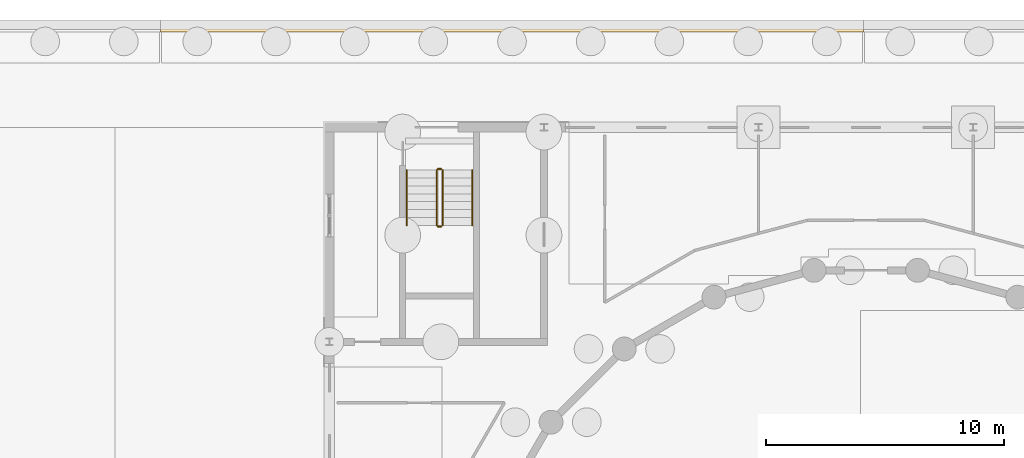
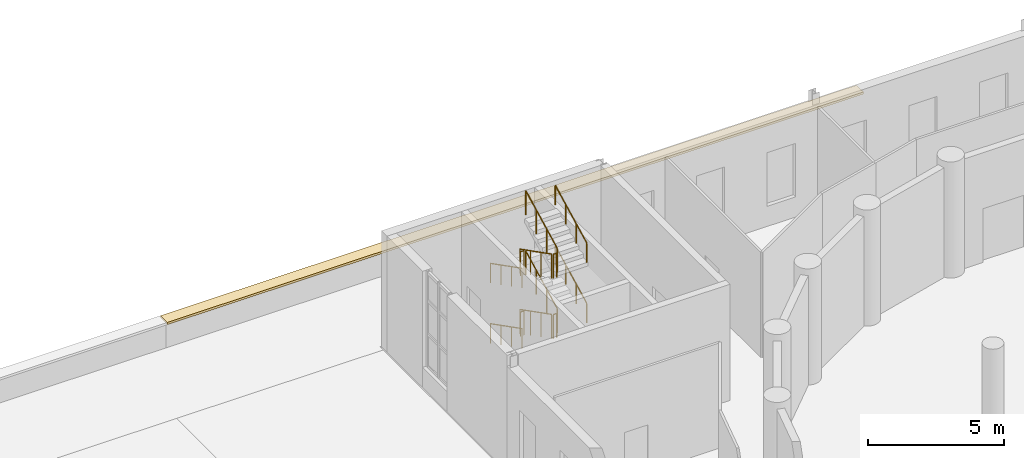
# One storey, part 160 of 168: 12 railings, 1 covering.
"""IFC4 building model written with IfcOpenShell, lengths in metres."""

import ifcopenshell
import ifcopenshell.guid

model = None  # the IFC model being written
_history = None  # IfcOwnerHistory: only IFC2X3 demands one
_inside = {}  # id of a spatial element -> (the spatial element, [elements in it])
_under = {}  # id of a project, library or spatial element -> (it, [spatial elements below it])
_declared = {}  # id of a project -> (the project, [libraries it declares])
_typed = {}  # id of a type object -> (the type object, [elements of that type])
_made_of = {}  # id of a material, layer set ... -> (it, [elements and type objects made of it])


def new_model(schema):
    """Start an empty IFC model of exactly this schema.

    Asked for "IFC4X3", IfcOpenShell would pick the latest addendum, in which some entities
    have other attributes; the version numbers below select the first issue.
    IFC2X3 requires an IfcOwnerHistory on every rooted entity: one is made here for all.
    """
    global model, _history
    if schema == "IFC4X3":
        model = ifcopenshell.file(schema_version=(4, 3, 0, 0))
    else:
        model = ifcopenshell.file(schema=schema)
    _inside.clear()
    _under.clear()
    _declared.clear()
    _typed.clear()
    _made_of.clear()
    _history = None
    if model.schema == "IFC2X3":
        org = make("IfcOrganization", Name="unknown")
        user = make(
            "IfcPersonAndOrganization",
            ThePerson=make("IfcPerson", FamilyName="unknown"),
            TheOrganization=org,
        )
        app = make(
            "IfcApplication",
            ApplicationDeveloper=org,
            Version="unknown",
            ApplicationFullName="unknown",
            ApplicationIdentifier="unknown",
        )
        _history = make(
            "IfcOwnerHistory",
            OwningUser=user,
            OwningApplication=app,
            ChangeAction="ADDED",
            CreationDate=0,
        )
    return model


def make(cls, **values):
    """One entity of the class cls with the attributes given. An attribute that is None is left unset."""
    return model.create_entity(
        cls, **{name: value for name, value in values.items() if value is not None}
    )


def rooted(cls, **values):
    """An entity with a GlobalId (a new one), such as an element, a storey or a relation."""
    return make(cls, GlobalId=ifcopenshell.guid.new(), OwnerHistory=_history, **values)


def si_unit(unit_type, name, prefix=None):
    """IfcSIUnit, for example si_unit("LENGTHUNIT", "METRE", prefix="MILLI")."""
    return make("IfcSIUnit", UnitType=unit_type, Prefix=prefix, Name=name)


def assignment(units):
    """IfcUnitAssignment: the units of a project."""
    return None if units is None else make("IfcUnitAssignment", Units=units)


def point(xyz):
    """IfcCartesianPoint."""
    return None if xyz is None else make("IfcCartesianPoint", Coordinates=xyz)


def direction(xyz):
    """IfcDirection."""
    return None if xyz is None else make("IfcDirection", DirectionRatios=xyz)


def frame(location, z_axis=None, x_axis=None):
    """IfcAxis2Placement3D, a coordinate frame: its origin and axes. An axis left out is left unset."""
    return make(
        "IfcAxis2Placement3D",
        Location=point(location),
        Axis=direction(z_axis),
        RefDirection=direction(x_axis),
    )


def frame_2d(location, x_axis=None):
    """IfcAxis2Placement2D, a coordinate frame in the plane: its origin and x axis."""
    return make(
        "IfcAxis2Placement2D", Location=point(location), RefDirection=direction(x_axis)
    )


def origin():
    """The frame at (0, 0, 0) with its axes left unset."""
    return frame((0.0, 0.0, 0.0))


def origin_2d():
    """The frame at (0, 0) in the plane with its x axis left unset."""
    return frame_2d((0.0, 0.0))


def place(relative_to, where):
    """IfcLocalPlacement: puts the frame where relative to a parent placement (None: the world)."""
    return make(
        "IfcLocalPlacement", PlacementRelTo=relative_to, RelativePlacement=where
    )


def context(
    kind, dimensions, precision=None, world=None, true_north=None, identifier=None
):
    """IfcGeometricRepresentationContext, for example the 3D "Model" context."""
    return make(
        "IfcGeometricRepresentationContext",
        ContextIdentifier=identifier,
        ContextType=kind,
        CoordinateSpaceDimension=dimensions,
        Precision=precision,
        WorldCoordinateSystem=world,
        TrueNorth=true_north,
    )


def subcontext(parent, identifier, kind, view, scale=None):
    """IfcGeometricRepresentationSubContext, for example "Body" below "Model"."""
    return make(
        "IfcGeometricRepresentationSubContext",
        ContextIdentifier=identifier,
        ContextType=kind,
        ParentContext=parent,
        TargetScale=scale,
        TargetView=view,
    )


def project(units=None, contexts=None):
    """IfcProject with its units and contexts."""
    return rooted(
        "IfcProject",
        Name="project",
        RepresentationContexts=contexts,
        UnitsInContext=assignment(units),
    )


def spatial(cls, under=None, at=None, **own):
    """A site, building, storey or space (cls), placed at a placement, below another one or the project."""
    s = rooted(cls, ObjectPlacement=at, **own)
    if under is not None:
        _under.setdefault(under.id(), (under, []))[1].append(s)
    return s


def polyline(points):
    """IfcPolyline through the points."""
    return make("IfcPolyline", Points=[point(p) for p in points])


def profile(cls, at=None, kind="AREA", **sizes):
    """A parametric profile (cls). Its sizes go by their IFC names, for example OverallWidth=200.0."""
    return make(cls, ProfileType=kind, Position=at, **sizes)


def circle(**sizes):
    """IfcCircleProfileDef."""
    return profile("IfcCircleProfileDef", **sizes)


def outline(outer, holes=None, kind="AREA"):
    """IfcArbitraryClosedProfileDef: a profile drawn as a closed curve; with holes, ...WithVoids."""
    if holes is None:
        return make("IfcArbitraryClosedProfileDef", ProfileType=kind, OuterCurve=outer)
    return make(
        "IfcArbitraryProfileDefWithVoids",
        ProfileType=kind,
        OuterCurve=outer,
        InnerCurves=holes,
    )


def extrude(swept, where, along, depth):
    """IfcExtrudedAreaSolid: the profile swept, set in the frame where, extruded along a direction by depth."""
    return make(
        "IfcExtrudedAreaSolid",
        SweptArea=swept,
        Position=where,
        ExtrudedDirection=direction(along),
        Depth=depth,
    )


def shape(context_of_items, identifier, shape_type, items):
    """IfcShapeRepresentation: the items that make up one representation, for example the "Body"."""
    return make(
        "IfcShapeRepresentation",
        ContextOfItems=context_of_items,
        RepresentationIdentifier=identifier,
        RepresentationType=shape_type,
        Items=items,
    )


def material(Name=None, Category=None):
    """IfcMaterial."""
    return make("IfcMaterial", Name=Name, Category=Category)


def layer(
    of_material, thickness, ventilated=None, Name=None, Category=None, Priority=None
):
    """IfcMaterialLayer: one layer of a wall or slab, of a material (None: an air gap)."""
    return make(
        "IfcMaterialLayer",
        Material=of_material,
        LayerThickness=thickness,
        IsVentilated=ventilated,
        Name=Name,
        Category=Category,
        Priority=Priority,
    )


def layer_set(layers, Name=None):
    """IfcMaterialLayerSet."""
    return make("IfcMaterialLayerSet", MaterialLayers=layers, LayerSetName=Name)


def made_of(thing, what):
    """Note that an element or type object is made of a material, layer set ...; save() writes the relation."""
    if what is not None:
        _made_of.setdefault(what.id(), (what, []))[1].append(thing)
    return thing


def type_object(cls, material=None, **own):
    """A type object (cls), such as IfcWallType, which elements share."""
    return made_of(rooted(cls, **own), material)


def element(
    cls,
    number,
    at=None,
    inside=None,
    cuts=None,
    type_object=None,
    material=None,
    context=None,
    identifier="Body",
    shape_type=None,
    held_by="IfcProductDefinitionShape",
    body=None,
    shapes=None,
    **own,
):
    """One element of the class cls, such as IfcWall. Its Tag is "e" and its number.

    at: its placement. inside: the storey or other place that contains it. cuts: it is an
    opening in that element (IfcRelVoidsElement). A single representation is given by context,
    identifier, shape_type and body (its items); several are given by shapes. held_by: the class
    of the entity that holds the representations. save() writes the other relations.
    """
    e = rooted(cls, Tag="e%d" % number, ObjectPlacement=at, **own)
    if body is not None:
        shapes = [shape(context, identifier, shape_type, body)]
    if shapes is not None:
        e.Representation = make(held_by, Representations=shapes)
    if inside is not None:
        _inside.setdefault(inside.id(), (inside, []))[1].append(e)
    if cuts is not None:
        rooted(
            "IfcRelVoidsElement", RelatingBuildingElement=cuts, RelatedOpeningElement=e
        )
    if type_object is not None:
        _typed.setdefault(type_object.id(), (type_object, []))[1].append(e)
    return made_of(e, material)


def aggregate(whole, parts):
    """IfcRelAggregates: a whole, such as a stair, and the parts it consists of."""
    return rooted("IfcRelAggregates", RelatingObject=whole, RelatedObjects=parts)


def save(model, path):
    """Write the relations noted so far, then the file.

    IfcRelAggregates (storeys below a building ...), IfcRelContainedInSpatialStructure (elements
    in a storey), IfcRelDefinesByType, IfcRelAssociatesMaterial and IfcRelDeclares: one each for
    every whole, place, type object, material and project.
    """
    for whole, parts in _under.values():
        aggregate(whole, parts)
    for where, things in _inside.values():
        rooted(
            "IfcRelContainedInSpatialStructure",
            RelatedElements=things,
            RelatingStructure=where,
        )
    for kind, things in _typed.values():
        rooted("IfcRelDefinesByType", RelatedObjects=things, RelatingType=kind)
    for what, things in _made_of.values():
        rooted("IfcRelAssociatesMaterial", RelatedObjects=things, RelatingMaterial=what)
    for by, libraries in _declared.values():
        rooted("IfcRelDeclares", RelatingContext=by, RelatedDefinitions=libraries)
    model.write(path)


model = new_model("IFC4")

# Units and contexts
model_context = context("Model", 3, precision=1e-05, world=origin(), true_north=direction((0.0, 1.0)))
body_context = subcontext(model_context, "Body", "Model", "MODEL_VIEW")
ifc_project = project(units=[si_unit("LENGTHUNIT", "METRE"), si_unit("AREAUNIT", "SQUARE_METRE"), si_unit("VOLUMEUNIT", "CUBIC_METRE"), si_unit("PLANEANGLEUNIT", "RADIAN"), si_unit("MASSUNIT", "GRAM", prefix="KILO")], contexts=[model_context])

# Site, building, storey
site_placement = place(None, origin())
site = spatial("IfcSite", under=ifc_project, at=site_placement, CompositionType="ELEMENT")
building_placement = place(site_placement, origin())
building = spatial("IfcBuilding", under=site, at=building_placement, Name="Golden Quay Civic Hall", CompositionType="ELEMENT")
storey_placement = place(building_placement, origin())
storey = spatial("IfcBuildingStorey", under=building, at=storey_placement, Name="L00", CompositionType="ELEMENT", Elevation=0.0)

# Covering
ifc_material_1 = material(Name="Granite", Category="masonry")
ifc_layer = layer(ifc_material_1, 0.10009765625)
ifc_layer_set = layer_set([ifc_layer], Name="Granite wall coping 500 x 100")
covering_type = type_object("IfcCoveringType", Name="Granite wall coping 500 x 100", PredefinedType="CLADDING", material=ifc_layer_set)
covering_placement = place(storey_placement, frame((0.0, 0.0, 1.10009765625)))
element("IfcCovering", 1, at=covering_placement, inside=storey, type_object=covering_type, Name="Boundary wall coping run N3", PredefinedType="CLADDING", context=body_context, shape_type="SweptSolid", body=[
    extrude(outline(polyline([(55.919921875, 112.0), (85.39990234375, 112.0), (85.39990234375, 112.5), (55.919921875, 112.5), (55.919921875, 112.0)])), origin(), (0.0, 0.0, 1.0), 0.099853515625),
])

# Railings
ifc_material_2 = material(Name="Steel S355", Category="steel")
railing_type_1 = type_object("IfcRailingType", Name="Steel guard 1100", PredefinedType="GUARDRAIL", material=ifc_material_2)
railing_1_placement = place(storey_placement, frame((67.5, 106.199951171875, 0.168701171875)))
element("IfcRailing", 2, at=railing_1_placement, inside=storey, type_object=railing_type_1, Name="L00 CB-NW stair guard 1", PredefinedType="GUARDRAIL", context=body_context, shape_type="SweptSolid", body=[
    extrude(circle(Radius=0.02392578125, at=origin_2d()), frame((0.0, 0.0, 1.076171875), z_axis=(0.0, -0.89032534587, 0.45532491531), x_axis=(1.0, 0.0, 0.0)), (0.0, 0.0, 1.0), 2.5947265625),
    extrude(circle(Radius=0.02099609375, at=origin_2d()), origin(), (0.0, 0.0, 1.0), 1.052001953125),
    extrude(circle(Radius=0.02099609375, at=origin_2d()), frame((0.0, -0.77001953125, 0.393798828125)), (0.0, 0.0, 1.0), 1.052001953125),
    extrude(circle(Radius=0.02099609375, at=origin_2d()), frame((0.0, -1.5400390625, 0.78759765625)), (0.0, 0.0, 1.0), 1.052001953125),
    extrude(circle(Radius=0.02099609375, at=origin_2d()), frame((0.0, -2.31005859375, 1.181396484375)), (0.0, 0.0, 1.0), 1.052001953125),
])
railing_2_placement = place(storey_placement, frame((67.550048828125, 103.840087890625, 1.35009765625)))
element("IfcRailing", 3, at=railing_2_placement, inside=storey, type_object=railing_type_1, Name="L00 CB-NW stair guard 2", PredefinedType="GUARDRAIL", context=body_context, shape_type="SweptSolid", body=[
    extrude(circle(Radius=0.02392578125, at=origin_2d()), frame((0.0, 0.0, 1.076171875), z_axis=(1.0, 0.0, 0.0), x_axis=(0.0, 1.0, 0.0)), (0.0, 0.0, 1.0), 0.14990234375),
    extrude(circle(Radius=0.02099609375, at=origin_2d()), origin(), (0.0, 0.0, 1.0), 1.052001953125),
    extrude(circle(Radius=0.02099609375, at=origin_2d()), frame((0.14990234375, 0.0, 0.0)), (0.0, 0.0, 1.0), 1.052001953125),
])
railing_3_placement = place(storey_placement, frame((67.75, 103.889892578125, 1.518798828125)))
element("IfcRailing", 4, at=railing_3_placement, inside=storey, type_object=railing_type_1, Name="L00 CB-NW stair guard 3", PredefinedType="GUARDRAIL", context=body_context, shape_type="SweptSolid", body=[
    extrude(circle(Radius=0.02392578125, at=origin_2d()), frame((0.0, 0.0, 1.076171875), z_axis=(0.0, 0.890363489232, 0.455250323495), x_axis=(-1.0, 0.0, 0.0)), (0.0, 0.0, 1.0), 2.594482421875),
    extrude(circle(Radius=0.02099609375, at=origin_2d()), origin(), (0.0, 0.0, 1.0), 1.052001953125),
    extrude(circle(Radius=0.02099609375, at=origin_2d()), frame((0.0, 0.77001953125, 0.393798828125)), (0.0, 0.0, 1.0), 1.052001953125),
    extrude(circle(Radius=0.02099609375, at=origin_2d()), frame((0.0, 1.5400390625, 0.787353515625)), (0.0, 0.0, 1.0), 1.052001953125),
    extrude(circle(Radius=0.02099609375, at=origin_2d()), frame((0.0, 2.31005859375, 1.18115234375)), (0.0, 0.0, 1.0), 1.052001953125),
])
railing_4_placement = place(storey_placement, frame((67.550048828125, 106.25, 2.699951171875)))
element("IfcRailing", 5, at=railing_4_placement, inside=storey, type_object=railing_type_1, Name="L00 CB-NW stair guard 4", PredefinedType="GUARDRAIL", context=body_context, shape_type="SweptSolid", body=[
    extrude(circle(Radius=0.02392578125, at=origin_2d()), frame((0.0, 0.0, 1.076171875), z_axis=(1.0, 0.0, 0.0), x_axis=(0.0, 1.0, 0.0)), (0.0, 0.0, 1.0), 0.14990234375),
    extrude(circle(Radius=0.02099609375, at=origin_2d()), origin(), (0.0, 0.0, 1.0), 1.052001953125),
    extrude(circle(Radius=0.02099609375, at=origin_2d()), frame((0.14990234375, 0.0, 0.0)), (0.0, 0.0, 1.0), 1.052001953125),
])
railing_5_placement = place(storey_placement, frame((67.5, 106.199951171875, 2.86865234375)))
element("IfcRailing", 6, at=railing_5_placement, inside=storey, type_object=railing_type_1, Name="L00 CB-NW stair guard 5", PredefinedType="GUARDRAIL", context=body_context, shape_type="SweptSolid", body=[
    extrude(circle(Radius=0.02392578125, at=origin_2d()), frame((0.0, 0.0, 1.076171875), z_axis=(0.0, -0.89032534587, 0.45532491531), x_axis=(1.0, 0.0, 0.0)), (0.0, 0.0, 1.0), 2.5947265625),
    extrude(circle(Radius=0.02099609375, at=origin_2d()), origin(), (0.0, 0.0, 1.0), 1.052001953125),
    extrude(circle(Radius=0.02099609375, at=origin_2d()), frame((0.0, -0.77001953125, 0.393798828125)), (0.0, 0.0, 1.0), 1.052001953125),
    extrude(circle(Radius=0.02099609375, at=origin_2d()), frame((0.0, -1.5400390625, 0.78759765625)), (0.0, 0.0, 1.0), 1.052001953125),
    extrude(circle(Radius=0.02099609375, at=origin_2d()), frame((0.0, -2.31005859375, 1.181396484375)), (0.0, 0.0, 1.0), 1.052001953125),
])
railing_6_placement = place(storey_placement, frame((67.550048828125, 103.840087890625, 4.050048828125)))
element("IfcRailing", 7, at=railing_6_placement, inside=storey, type_object=railing_type_1, Name="L00 CB-NW stair guard 6", PredefinedType="GUARDRAIL", context=body_context, shape_type="SweptSolid", body=[
    extrude(circle(Radius=0.02392578125, at=origin_2d()), frame((0.0, 0.0, 1.076171875), z_axis=(1.0, 0.0, 0.0), x_axis=(0.0, 1.0, 0.0)), (0.0, 0.0, 1.0), 0.14990234375),
    extrude(circle(Radius=0.02099609375, at=origin_2d()), origin(), (0.0, 0.0, 1.0), 1.052001953125),
    extrude(circle(Radius=0.02099609375, at=origin_2d()), frame((0.14990234375, 0.0, 0.0)), (0.0, 0.0, 1.0), 1.052001953125),
])
railing_7_placement = place(storey_placement, frame((67.75, 103.889892578125, 4.21875)))
element("IfcRailing", 8, at=railing_7_placement, inside=storey, type_object=railing_type_1, Name="L00 CB-NW stair guard 7", PredefinedType="GUARDRAIL", context=body_context, shape_type="SweptSolid", body=[
    extrude(circle(Radius=0.02392578125, at=origin_2d()), frame((0.0, 0.0, 1.076171875), z_axis=(0.0, 0.890363489232, 0.455250323495), x_axis=(-1.0, 0.0, 0.0)), (0.0, 0.0, 1.0), 2.594482421875),
    extrude(circle(Radius=0.02099609375, at=origin_2d()), origin(), (0.0, 0.0, 1.0), 1.052001953125),
    extrude(circle(Radius=0.02099609375, at=origin_2d()), frame((0.0, 0.77001953125, 0.393798828125)), (0.0, 0.0, 1.0), 1.052001953125),
    extrude(circle(Radius=0.02099609375, at=origin_2d()), frame((0.0, 1.5400390625, 0.787353515625)), (0.0, 0.0, 1.0), 1.052001953125),
    extrude(circle(Radius=0.02099609375, at=origin_2d()), frame((0.0, 2.31005859375, 1.18115234375)), (0.0, 0.0, 1.0), 1.052001953125),
])
railing_8_placement = place(storey_placement, frame((67.550048828125, 106.25, 0.0)))
element("IfcRailing", 9, at=railing_8_placement, inside=storey, type_object=railing_type_1, Name="L00 CB-NW stair guard 8", PredefinedType="GUARDRAIL", context=body_context, shape_type="SweptSolid", body=[
    extrude(circle(Radius=0.02392578125, at=origin_2d()), frame((0.0, 0.0, 1.076171875), z_axis=(1.0, 0.0, 0.0), x_axis=(0.0, 1.0, 0.0)), (0.0, 0.0, 1.0), 0.14990234375),
    extrude(circle(Radius=0.02099609375, at=origin_2d()), origin(), (0.0, 0.0, 1.0), 1.052001953125),
    extrude(circle(Radius=0.02099609375, at=origin_2d()), frame((0.14990234375, 0.0, 0.0)), (0.0, 0.0, 1.0), 1.052001953125),
])
ifc_material_3 = material(Name="Steel S355", Category="steel")
railing_type_2 = type_object("IfcRailingType", Name="Steel handrail 900", PredefinedType="HANDRAIL", material=ifc_material_3)
railing_9_placement = place(storey_placement, frame((66.25, 106.199951171875, 0.168701171875)))
element("IfcRailing", 10, at=railing_9_placement, inside=storey, type_object=railing_type_2, Name="L00 CB-NW stair handrail 1", PredefinedType="HANDRAIL", context=body_context, shape_type="SweptSolid", body=[
    extrude(circle(Radius=0.02392578125, at=origin_2d()), frame((0.0, 0.0, 0.8759765625), z_axis=(0.0, -0.89032534587, 0.45532491531), x_axis=(1.0, 0.0, 0.0)), (0.0, 0.0, 1.0), 2.5947265625),
    extrude(circle(Radius=0.02099609375, at=origin_2d()), origin(), (0.0, 0.0, 1.0), 0.851806640625),
    extrude(circle(Radius=0.02099609375, at=origin_2d()), frame((0.0, -0.77001953125, 0.393798828125)), (0.0, 0.0, 1.0), 0.851806640625),
    extrude(circle(Radius=0.02099609375, at=origin_2d()), frame((0.0, -1.5400390625, 0.78759765625)), (0.0, 0.0, 1.0), 0.851806640625),
    extrude(circle(Radius=0.02099609375, at=origin_2d()), frame((0.0, -2.31005859375, 1.181396484375)), (0.0, 0.0, 1.0), 0.851806640625),
])
railing_10_placement = place(storey_placement, frame((69.0, 103.889892578125, 1.518798828125)))
element("IfcRailing", 11, at=railing_10_placement, inside=storey, type_object=railing_type_2, Name="L00 CB-NW stair handrail 2", PredefinedType="HANDRAIL", context=body_context, shape_type="SweptSolid", body=[
    extrude(circle(Radius=0.02392578125, at=origin_2d()), frame((0.0, 0.0, 0.8759765625), z_axis=(0.0, 0.890363489232, 0.455250323495), x_axis=(-1.0, 0.0, 0.0)), (0.0, 0.0, 1.0), 2.594482421875),
    extrude(circle(Radius=0.02099609375, at=origin_2d()), origin(), (0.0, 0.0, 1.0), 0.851806640625),
    extrude(circle(Radius=0.02099609375, at=origin_2d()), frame((0.0, 0.77001953125, 0.393798828125)), (0.0, 0.0, 1.0), 0.851806640625),
    extrude(circle(Radius=0.02099609375, at=origin_2d()), frame((0.0, 1.5400390625, 0.787353515625)), (0.0, 0.0, 1.0), 0.851806640625),
    extrude(circle(Radius=0.02099609375, at=origin_2d()), frame((0.0, 2.31005859375, 1.18115234375)), (0.0, 0.0, 1.0), 0.851806640625),
])
railing_11_placement = place(storey_placement, frame((66.25, 106.199951171875, 2.86865234375)))
element("IfcRailing", 12, at=railing_11_placement, inside=storey, type_object=railing_type_2, Name="L00 CB-NW stair handrail 3", PredefinedType="HANDRAIL", context=body_context, shape_type="SweptSolid", body=[
    extrude(circle(Radius=0.02392578125, at=origin_2d()), frame((0.0, 0.0, 0.8759765625), z_axis=(0.0, -0.89032534587, 0.45532491531), x_axis=(1.0, 0.0, 0.0)), (0.0, 0.0, 1.0), 2.5947265625),
    extrude(circle(Radius=0.02099609375, at=origin_2d()), origin(), (0.0, 0.0, 1.0), 0.851806640625),
    extrude(circle(Radius=0.02099609375, at=origin_2d()), frame((0.0, -0.77001953125, 0.393798828125)), (0.0, 0.0, 1.0), 0.851806640625),
    extrude(circle(Radius=0.02099609375, at=origin_2d()), frame((0.0, -1.5400390625, 0.78759765625)), (0.0, 0.0, 1.0), 0.851806640625),
    extrude(circle(Radius=0.02099609375, at=origin_2d()), frame((0.0, -2.31005859375, 1.181396484375)), (0.0, 0.0, 1.0), 0.851806640625),
])
railing_12_placement = place(storey_placement, frame((69.0, 103.889892578125, 4.21875)))
element("IfcRailing", 13, at=railing_12_placement, inside=storey, type_object=railing_type_2, Name="L00 CB-NW stair handrail 4", PredefinedType="HANDRAIL", context=body_context, shape_type="SweptSolid", body=[
    extrude(circle(Radius=0.02392578125, at=origin_2d()), frame((0.0, 0.0, 0.8759765625), z_axis=(0.0, 0.890363489232, 0.455250323495), x_axis=(-1.0, 0.0, 0.0)), (0.0, 0.0, 1.0), 2.594482421875),
    extrude(circle(Radius=0.02099609375, at=origin_2d()), origin(), (0.0, 0.0, 1.0), 0.851806640625),
    extrude(circle(Radius=0.02099609375, at=origin_2d()), frame((0.0, 0.77001953125, 0.393798828125)), (0.0, 0.0, 1.0), 0.851806640625),
    extrude(circle(Radius=0.02099609375, at=origin_2d()), frame((0.0, 1.5400390625, 0.787353515625)), (0.0, 0.0, 1.0), 0.851806640625),
    extrude(circle(Radius=0.02099609375, at=origin_2d()), frame((0.0, 2.31005859375, 1.18115234375)), (0.0, 0.0, 1.0), 0.851806640625),
])

save(model, "model.ifc")
